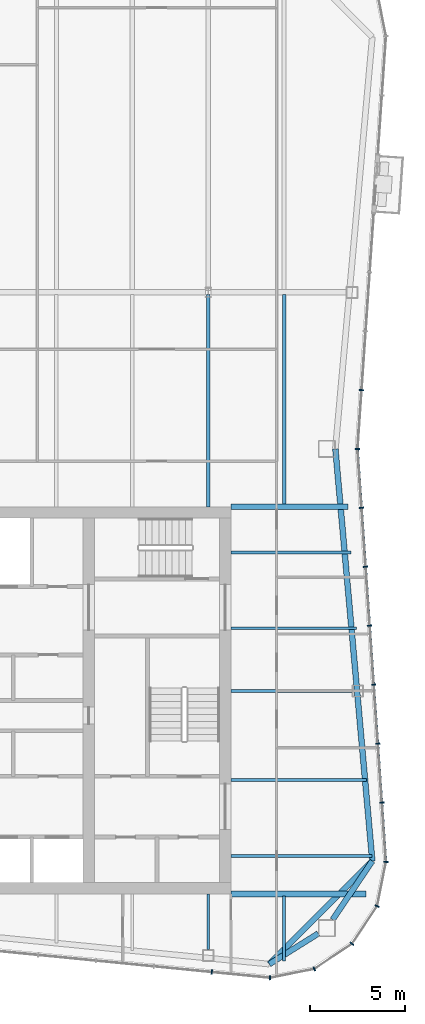
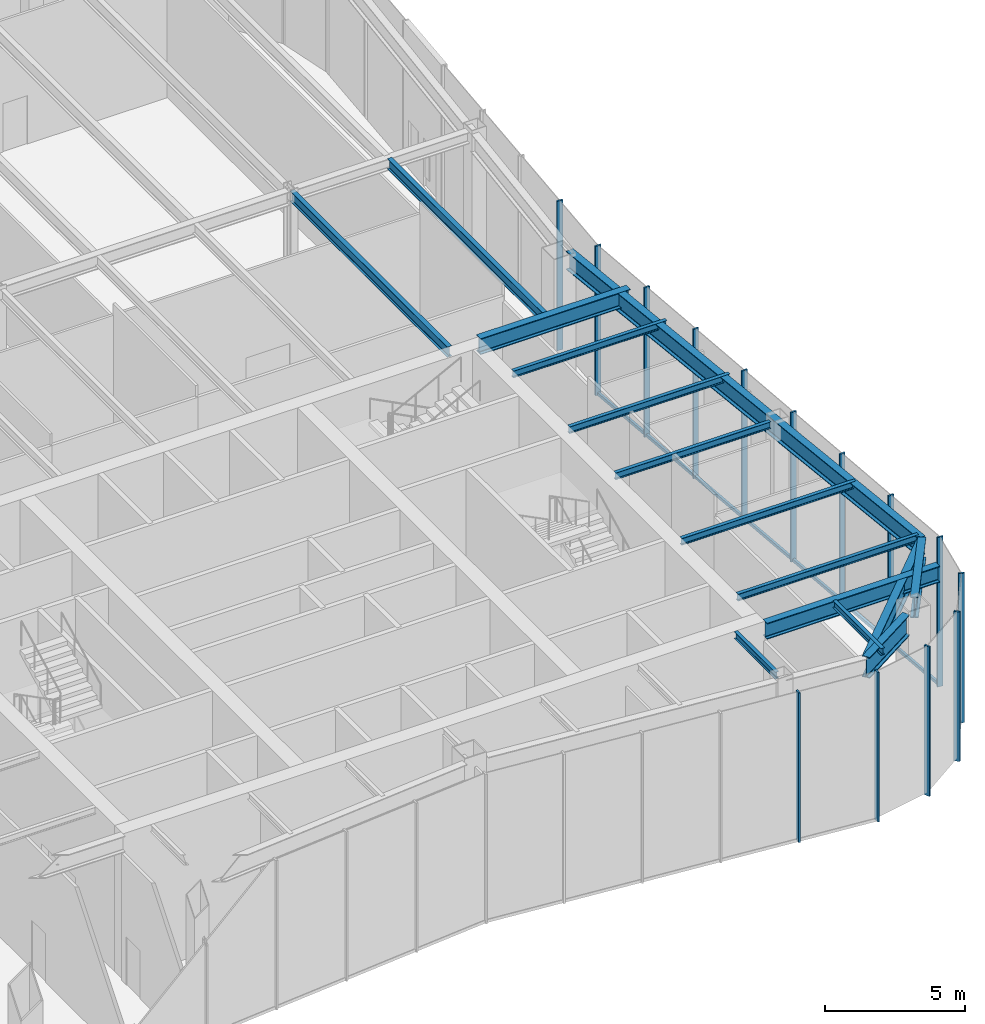
# One storey, part 5 of 15: 15 beams, 15 members, 3 elements without a shape of their own.
"""IFC4 building model written with IfcOpenShell, lengths in metres."""

from ifc_helpers import new_model, si_unit, direction, frame, origin, origin_2d, place, context, subcontext, project, spatial, rectangle, i_section, extrude, material, material_profile, profile_set, type_object, element, aggregate, save


model = new_model("IFC4")

# Units and contexts
model_context = context("Model", 3, precision=1e-05, world=origin(), true_north=direction((0.0, 1.0)))
body_context = subcontext(model_context, "Body", "Model", "MODEL_VIEW")
ifc_project = project(units=[si_unit("LENGTHUNIT", "METRE"), si_unit("AREAUNIT", "SQUARE_METRE"), si_unit("VOLUMEUNIT", "CUBIC_METRE"), si_unit("PLANEANGLEUNIT", "RADIAN"), si_unit("MASSUNIT", "GRAM", prefix="KILO")], contexts=[model_context])

# Site, building, storey
site_placement = place(None, origin())
site = spatial("IfcSite", under=ifc_project, at=site_placement, CompositionType="ELEMENT")
building_placement = place(site_placement, origin())
building = spatial("IfcBuilding", under=site, at=building_placement, Name="Verdant Reach Tower", CompositionType="ELEMENT")
storey_placement = place(building_placement, frame((0.0, 0.0, 334.0)))
storey = spatial("IfcBuildingStorey", under=building, at=storey_placement, Name="L77", CompositionType="ELEMENT", Elevation=334.0)

# Curtain wall, members
ifc_material_1 = material(Name="Anodised aluminium", Category="aluminium")
curtain_wall_type = type_object("IfcCurtainWallType", Name="EN-CW SYSTEM Z5", PredefinedType="NOTDEFINED", material=ifc_material_1)
curtain_wall_1_placement = place(storey_placement, origin())
curtain_wall_1 = element("IfcCurtainWall", 1, at=curtain_wall_1_placement, inside=storey, type_object=curtain_wall_type, Name="Curtain wall south-east corner, L77", PredefinedType="NOTDEFINED")
ifc_material_profile_1 = material_profile(ifc_material_1, rectangle(XDim=0.22998046875, YDim=0.070068359375, at=origin_2d()), Name="Mullion 70x230")
ifc_profile_set_1 = profile_set([ifc_material_profile_1], Name="Anodised aluminium")
member_type_1 = type_object("IfcMemberType", Name="EN-MULLION Z5", PredefinedType="MULLION", material=ifc_profile_set_1)
member_1_placement = place(storey_placement, frame((15.255615234375, 13.38525390625, -0.35009765625), z_axis=(0.0, 0.0, 1.0), x_axis=(0.049127596288, -0.998792510626, 0.0)))
member_1 = element("IfcMember", 2, at=member_1_placement, type_object=member_type_1, Name="Mullion south-east corner 1, L77", PredefinedType="MULLION", context=body_context, shape_type="SweptSolid", body=[
    extrude(rectangle(XDim=0.22998046875, YDim=0.070068359375, at=origin_2d()), origin(), (0.0, 0.0, 1.0), 6.5),
])
member_2_placement = place(storey_placement, frame((17.590087890625, 13.850341796875, -0.35009765625), z_axis=(0.0, 0.0, 1.0), x_axis=(0.382693853776, -0.923875215753, 0.0)))
member_2 = element("IfcMember", 3, at=member_2_placement, type_object=member_type_1, Name="Mullion south-east corner 2, L77", PredefinedType="MULLION", context=body_context, shape_type="SweptSolid", body=[
    extrude(rectangle(XDim=0.22998046875, YDim=0.070068359375, at=origin_2d()), origin(), (0.0, 0.0, 1.0), 6.5),
])
member_3_placement = place(storey_placement, frame((19.573974609375, 15.176025390625, -0.35009765625), z_axis=(0.0, 0.0, 1.0), x_axis=(0.707106781187, -0.707106781187, 0.0)))
member_3 = element("IfcMember", 4, at=member_3_placement, type_object=member_type_1, Name="Mullion south-east corner 3, L77", PredefinedType="MULLION", context=body_context, shape_type="SweptSolid", body=[
    extrude(rectangle(XDim=0.22998046875, YDim=0.070068359375, at=origin_2d()), origin(), (0.0, 0.0, 1.0), 6.5),
])
member_4_placement = place(storey_placement, frame((20.899658203125, 17.159912109375, -0.35009765625), z_axis=(0.0, 0.0, 1.0), x_axis=(0.923875215753, -0.382693853776, 0.0)))
member_4 = element("IfcMember", 5, at=member_4_placement, type_object=member_type_1, Name="Mullion south-east corner 4, L77", PredefinedType="MULLION", context=body_context, shape_type="SweptSolid", body=[
    extrude(rectangle(XDim=0.22998046875, YDim=0.070068359375, at=origin_2d()), origin(), (0.0, 0.0, 1.0), 6.5),
])
aggregate(curtain_wall_1, [member_1, member_2, member_3, member_4])

curtain_wall_2_placement = place(storey_placement, origin())
curtain_wall_2 = element("IfcCurtainWall", 6, at=curtain_wall_2_placement, inside=storey, type_object=curtain_wall_type, Name="Curtain wall east, L77", PredefinedType="NOTDEFINED")
member_5_placement = place(storey_placement, frame((21.36474609375, 19.49267578125, -0.35009765625), z_axis=(0.0, 0.0, 1.0), x_axis=(0.997969180898, -0.063698618332, 0.0)))
member_5 = element("IfcMember", 7, at=member_5_placement, type_object=member_type_1, Name="Mullion east face part 1 1, L77", PredefinedType="MULLION", context=body_context, shape_type="SweptSolid", body=[
    extrude(rectangle(XDim=0.22998046875, YDim=0.070068359375, at=origin_2d()), origin(), (0.0, 0.0, 1.0), 6.5),
])
member_6_placement = place(storey_placement, frame((21.150390625, 22.614990234375, -0.35009765625), z_axis=(0.0, 0.0, 1.0), x_axis=(0.997630328423, 0.068802091615, 0.0)))
member_6 = element("IfcMember", 8, at=member_6_placement, type_object=member_type_1, Name="Mullion east face part 1 2, L77", PredefinedType="MULLION", context=body_context, shape_type="SweptSolid", body=[
    extrude(rectangle(XDim=0.22998046875, YDim=0.070068359375, at=origin_2d()), origin(), (0.0, 0.0, 1.0), 6.5),
])
member_7_placement = place(storey_placement, frame((20.93603515625, 25.72216796875, -0.35009765625), z_axis=(0.0, 0.0, 1.0), x_axis=(0.997630328423, 0.068802091615, 0.0)))
member_7 = element("IfcMember", 9, at=member_7_placement, type_object=member_type_1, Name="Mullion east face part 1 3, L77", PredefinedType="MULLION", context=body_context, shape_type="SweptSolid", body=[
    extrude(rectangle(XDim=0.22998046875, YDim=0.070068359375, at=origin_2d()), origin(), (0.0, 0.0, 1.0), 6.5),
])
member_8_placement = place(storey_placement, frame((20.721923828125, 28.829345703125, -0.35009765625), z_axis=(0.0, 0.0, 1.0), x_axis=(0.997630328423, 0.068802091615, 0.0)))
member_8 = element("IfcMember", 10, at=member_8_placement, type_object=member_type_1, Name="Mullion east face part 1 4, L77", PredefinedType="MULLION", context=body_context, shape_type="SweptSolid", body=[
    extrude(rectangle(XDim=0.22998046875, YDim=0.070068359375, at=origin_2d()), origin(), (0.0, 0.0, 1.0), 6.5),
])
member_9_placement = place(storey_placement, frame((20.507568359375, 31.9365234375, -0.35009765625), z_axis=(0.0, 0.0, 1.0), x_axis=(0.997630328423, 0.068802091615, 0.0)))
member_9 = element("IfcMember", 11, at=member_9_placement, type_object=member_type_1, Name="Mullion east face part 1 5, L77", PredefinedType="MULLION", context=body_context, shape_type="SweptSolid", body=[
    extrude(rectangle(XDim=0.22998046875, YDim=0.070068359375, at=origin_2d()), origin(), (0.0, 0.0, 1.0), 6.5),
])
member_10_placement = place(storey_placement, frame((20.293212890625, 35.043701171875, -0.35009765625), z_axis=(0.0, 0.0, 1.0), x_axis=(0.997630328423, 0.068802091615, 0.0)))
member_10 = element("IfcMember", 12, at=member_10_placement, type_object=member_type_1, Name="Mullion east face part 1 6, L77", PredefinedType="MULLION", context=body_context, shape_type="SweptSolid", body=[
    extrude(rectangle(XDim=0.22998046875, YDim=0.070068359375, at=origin_2d()), origin(), (0.0, 0.0, 1.0), 6.5),
])
member_11_placement = place(storey_placement, frame((20.0791015625, 38.15087890625, -0.35009765625), z_axis=(0.0, 0.0, 1.0), x_axis=(0.997630328423, 0.068802091615, 0.0)))
member_11 = element("IfcMember", 13, at=member_11_placement, type_object=member_type_1, Name="Mullion east face part 1 7, L77", PredefinedType="MULLION", context=body_context, shape_type="SweptSolid", body=[
    extrude(rectangle(XDim=0.22998046875, YDim=0.070068359375, at=origin_2d()), origin(), (0.0, 0.0, 1.0), 6.5),
])
member_12_placement = place(storey_placement, frame((19.864990234375, 41.25, -0.35009765625), z_axis=(0.0, 0.0, 1.0), x_axis=(1.0, 0.0, 0.0)))
member_12 = element("IfcMember", 14, at=member_12_placement, type_object=member_type_1, Name="Mullion east face part 2 1, L77", PredefinedType="MULLION", context=body_context, shape_type="SweptSolid", body=[
    extrude(rectangle(XDim=0.22998046875, YDim=0.070068359375, at=origin_2d()), origin(), (0.0, 0.0, 1.0), 6.5),
])
member_13_placement = place(storey_placement, frame((20.0791015625, 44.34912109375, -0.35009765625), z_axis=(0.0, 0.0, 1.0), x_axis=(0.997630328423, -0.068802091615, 0.0)))
member_13 = element("IfcMember", 15, at=member_13_placement, type_object=member_type_1, Name="Mullion east face part 2 2, L77", PredefinedType="MULLION", context=body_context, shape_type="SweptSolid", body=[
    extrude(rectangle(XDim=0.22998046875, YDim=0.070068359375, at=origin_2d()), origin(), (0.0, 0.0, 1.0), 6.5),
])

# Curtain wall, member
curtain_wall_3_placement = place(storey_placement, origin())
curtain_wall_3 = element("IfcCurtainWall", 16, at=curtain_wall_3_placement, inside=storey, type_object=curtain_wall_type, Name="Curtain wall south, L77", PredefinedType="NOTDEFINED")
member_14_placement = place(storey_placement, frame((12.188720703125, 13.685546875, -0.35009765625), z_axis=(0.0, 0.0, 1.0), x_axis=(-0.09788826992, -0.995197410875, 0.0)))
member_14 = element("IfcMember", 17, at=member_14_placement, type_object=member_type_1, Name="Mullion south face part 2 5, L77", PredefinedType="MULLION", context=body_context, shape_type="SweptSolid", body=[
    extrude(rectangle(XDim=0.22998046875, YDim=0.070068359375, at=origin_2d()), origin(), (0.0, 0.0, 1.0), 6.5),
])
aggregate(curtain_wall_3, [member_14])

# Member
ifc_material_profile_2 = material_profile(ifc_material_1, rectangle(XDim=0.10009765625, YDim=0.1298828125, at=origin_2d()), Name="Transom 130x100")
ifc_profile_set_2 = profile_set([ifc_material_profile_2], Name="Anodised aluminium")
member_type_2 = type_object("IfcMemberType", Name="EN-TRANSOM Z5", PredefinedType="USERDEFINED", material=ifc_profile_set_2)
member_15_placement = place(storey_placement, frame((21.3623046875, 19.527587890625, -0.284912109375), z_axis=(-0.068764705107, 0.997632906099, 0.0), x_axis=(-0.997632906099, -0.068764705107, 0.0)))
member_15 = element("IfcMember", 18, at=member_15_placement, type_object=member_type_2, Name="Transom east face part 1 1.1, L77", ObjectType="TRANSOM", PredefinedType="USERDEFINED", context=body_context, shape_type="SweptSolid", body=[
    extrude(rectangle(XDim=0.10009765625, YDim=0.1298828125, at=origin_2d()), origin(), (0.0, 0.0, 1.0), 21.739013671875),
])

aggregate(curtain_wall_2, [member_5, member_6, member_7, member_8, member_9, member_10, member_11, member_15, member_12, member_13])

# Beams
ifc_material_2 = material(Name="Steel S355", Category="steel")
ifc_material_profile_3 = material_profile(ifc_material_2, i_section(OverallWidth=0.300048828125, OverallDepth=0.699951171875, WebThickness=0.01708984375, FlangeThickness=0.031982421875, FilletRadius=0.027099609375, at=origin_2d()), Name="HEB 700")
ifc_profile_set_3 = profile_set([ifc_material_profile_3], Name="Steel S355")
beam_type_1 = type_object("IfcBeamType", Name="ST-BEAM-HEB700", PredefinedType="BEAM", material=ifc_profile_set_3)
beam_1_placement = place(storey_placement, frame((13.199951171875, 38.199951171875, 6.0), z_axis=(1.0, 0.0, 0.0), x_axis=(0.0, 1.0, 0.0)))
element("IfcBeam", 19, at=beam_1_placement, inside=storey, type_object=beam_type_1, Name="Trimmer beam, L77", PredefinedType="BEAM", context=body_context, shape_type="SweptSolid", body=[
    extrude(i_section(OverallWidth=0.300048828125, OverallDepth=0.699951171875, WebThickness=0.01708984375, FlangeThickness=0.031982421875, FilletRadius=0.027099609375, at=origin_2d()), origin(), (0.0, 0.0, 1.0), 6.158935546875),
])
beam_2_placement = place(storey_placement, frame((13.199951171875, 17.800048828125, 6.0), z_axis=(1.0, 0.0, 0.0), x_axis=(0.0, 1.0, 0.0)))
element("IfcBeam", 20, at=beam_2_placement, inside=storey, type_object=beam_type_1, Name="Trimmer beam, L77", PredefinedType="BEAM", context=body_context, shape_type="SweptSolid", body=[
    extrude(i_section(OverallWidth=0.300048828125, OverallDepth=0.699951171875, WebThickness=0.01708984375, FlangeThickness=0.031982421875, FilletRadius=0.027099609375, at=origin_2d()), origin(), (0.0, 0.0, 1.0), 7.10009765625),
])
ifc_material_profile_4 = material_profile(ifc_material_2, i_section(OverallWidth=0.302001953125, OverallDepth=0.909912109375, WebThickness=0.02099609375, FlangeThickness=0.0400390625, FilletRadius=0.030029296875, at=origin_2d()), Name="HEM 900")
ifc_profile_set_4 = profile_set([ifc_material_profile_4], Name="Steel S355")
beam_type_2 = type_object("IfcBeamType", Name="ST-BEAM-HEM900", PredefinedType="BEAM", material=ifc_profile_set_4)
beam_3_placement = place(storey_placement, frame((17.800048828125, 15.71875, 5.89501953125), z_axis=(-0.847903624467, -0.530150397166, 0.0), x_axis=(0.530150397166, -0.847903624467, 0.0)))
element("IfcBeam", 21, at=beam_3_placement, inside=storey, type_object=beam_type_2, Name="Column stub beam, L77", PredefinedType="BEAM", context=body_context, shape_type="SweptSolid", body=[
    extrude(i_section(OverallWidth=0.302001953125, OverallDepth=0.909912109375, WebThickness=0.02099609375, FlangeThickness=0.0400390625, FilletRadius=0.030029296875, at=origin_2d()), origin(), (0.0, 0.0, 1.0), 3.042724609375),
])
beam_4_placement = place(storey_placement, frame((18.5546875, 16.449951171875, 5.89501953125), z_axis=(0.560667226688, 0.828041219335, 0.0), x_axis=(-0.828041219335, 0.560667226688, 0.0)))
element("IfcBeam", 22, at=beam_4_placement, inside=storey, type_object=beam_type_2, Name="Column stub beam, L77", PredefinedType="BEAM", context=body_context, shape_type="SweptSolid", body=[
    extrude(i_section(OverallWidth=0.302001953125, OverallDepth=0.909912109375, WebThickness=0.02099609375, FlangeThickness=0.0400390625, FilletRadius=0.030029296875, at=origin_2d()), origin(), (0.0, 0.0, 1.0), 3.72998046875),
])
ifc_material_profile_5 = material_profile(ifc_material_2, i_section(OverallWidth=0.14990234375, OverallDepth=0.300048828125, WebThickness=0.007080078125, FlangeThickness=0.0107421875, FilletRadius=0.014892578125, at=origin_2d()), Name="IPE 300")
ifc_profile_set_5 = profile_set([ifc_material_profile_5], Name="Steel S355")
beam_type_3 = type_object("IfcBeamType", Name="ST-JOIST-IPE300", PredefinedType="JOIST", material=ifc_profile_set_5)
beam_5_placement = place(storey_placement, frame((12.0, 17.800048828125, 6.199951171875), z_axis=(0.0, -1.0, 0.0), x_axis=(1.0, 0.0, 0.0)))
element("IfcBeam", 23, at=beam_5_placement, inside=storey, type_object=beam_type_3, Name="Floor joist, L77", PredefinedType="JOIST", context=body_context, shape_type="SweptSolid", body=[
    extrude(i_section(OverallWidth=0.14990234375, OverallDepth=0.300048828125, WebThickness=0.007080078125, FlangeThickness=0.0107421875, FilletRadius=0.014892578125, at=origin_2d()), origin(), (0.0, 0.0, 1.0), 2.930419921875),
])
beam_6_placement = place(storey_placement, frame((16.0, 17.699951171875, 6.199951171875), z_axis=(0.0, -1.0, 0.0), x_axis=(1.0, 0.0, 0.0)))
element("IfcBeam", 24, at=beam_6_placement, inside=storey, type_object=beam_type_3, Name="Floor joist, L77", PredefinedType="JOIST", context=body_context, shape_type="SweptSolid", body=[
    extrude(i_section(OverallWidth=0.14990234375, OverallDepth=0.300048828125, WebThickness=0.007080078125, FlangeThickness=0.0107421875, FilletRadius=0.014892578125, at=origin_2d()), origin(), (0.0, 0.0, 1.0), 3.43896484375),
])
beam_7_placement = place(storey_placement, frame((13.199951171875, 19.800048828125, 6.199951171875), z_axis=(1.0, 0.0, 0.0), x_axis=(0.0, 1.0, 0.0)))
element("IfcBeam", 25, at=beam_7_placement, inside=storey, type_object=beam_type_3, Name="Floor joist, L77", PredefinedType="JOIST", context=body_context, shape_type="SweptSolid", body=[
    extrude(i_section(OverallWidth=0.14990234375, OverallDepth=0.300048828125, WebThickness=0.007080078125, FlangeThickness=0.0107421875, FilletRadius=0.014892578125, at=origin_2d()), origin(), (0.0, 0.0, 1.0), 7.427978515625),
])
beam_8_placement = place(storey_placement, frame((13.199951171875, 23.800048828125, 6.199951171875), z_axis=(1.0, 0.0, 0.0), x_axis=(0.0, 1.0, 0.0)))
element("IfcBeam", 26, at=beam_8_placement, inside=storey, type_object=beam_type_3, Name="Floor joist, L77", PredefinedType="JOIST", context=body_context, shape_type="SweptSolid", body=[
    extrude(i_section(OverallWidth=0.14990234375, OverallDepth=0.300048828125, WebThickness=0.007080078125, FlangeThickness=0.0107421875, FilletRadius=0.014892578125, at=origin_2d()), origin(), (0.0, 0.0, 1.0), 7.152099609375),
])
beam_9_placement = place(storey_placement, frame((13.199951171875, 28.5, 6.199951171875), z_axis=(1.0, 0.0, 0.0), x_axis=(0.0, 1.0, 0.0)))
element("IfcBeam", 27, at=beam_9_placement, inside=storey, type_object=beam_type_3, Name="Floor joist, L77", PredefinedType="JOIST", context=body_context, shape_type="SweptSolid", body=[
    extrude(i_section(OverallWidth=0.14990234375, OverallDepth=0.300048828125, WebThickness=0.007080078125, FlangeThickness=0.0107421875, FilletRadius=0.014892578125, at=origin_2d()), origin(), (0.0, 0.0, 1.0), 6.37939453125),
])
beam_10_placement = place(storey_placement, frame((13.199951171875, 31.800048828125, 6.199951171875), z_axis=(1.0, 0.0, 0.0), x_axis=(0.0, 1.0, 0.0)))
element("IfcBeam", 28, at=beam_10_placement, inside=storey, type_object=beam_type_3, Name="Floor joist, L77", PredefinedType="JOIST", context=body_context, shape_type="SweptSolid", body=[
    extrude(i_section(OverallWidth=0.14990234375, OverallDepth=0.300048828125, WebThickness=0.007080078125, FlangeThickness=0.0107421875, FilletRadius=0.014892578125, at=origin_2d()), origin(), (0.0, 0.0, 1.0), 6.600341796875),
])
beam_11_placement = place(storey_placement, frame((13.199951171875, 35.800048828125, 6.199951171875), z_axis=(1.0, 0.0, 0.0), x_axis=(0.0, 1.0, 0.0)))
element("IfcBeam", 29, at=beam_11_placement, inside=storey, type_object=beam_type_3, Name="Floor joist, L77", PredefinedType="JOIST", context=body_context, shape_type="SweptSolid", body=[
    extrude(i_section(OverallWidth=0.14990234375, OverallDepth=0.300048828125, WebThickness=0.007080078125, FlangeThickness=0.0107421875, FilletRadius=0.014892578125, at=origin_2d()), origin(), (0.0, 0.0, 1.0), 6.324462890625),
])
ifc_material_profile_6 = material_profile(ifc_material_2, i_section(OverallWidth=0.18994140625, OverallDepth=0.449951171875, WebThickness=0.009521484375, FlangeThickness=0.0146484375, FilletRadius=0.02099609375, at=origin_2d()), Name="IPE 450")
ifc_profile_set_6 = profile_set([ifc_material_profile_6], Name="Steel S355")
beam_type_4 = type_object("IfcBeamType", Name="ST-JOIST-IPE450", PredefinedType="JOIST", material=ifc_profile_set_6)
beam_12_placement = place(storey_placement, frame((12.0, 38.199951171875, 6.125), z_axis=(0.0, 1.0, 0.0), x_axis=(-1.0, 0.0, 0.0)))
element("IfcBeam", 30, at=beam_12_placement, inside=storey, type_object=beam_type_4, Name="Floor joist, L77", PredefinedType="JOIST", context=body_context, shape_type="SweptSolid", body=[
    extrude(i_section(OverallWidth=0.18994140625, OverallDepth=0.449951171875, WebThickness=0.009521484375, FlangeThickness=0.0146484375, FilletRadius=0.02099609375, at=origin_2d()), origin(), (0.0, 0.0, 1.0), 11.199951171875),
])
beam_13_placement = place(storey_placement, frame((16.0, 38.300048828125, 6.125), z_axis=(0.0, 1.0, 0.0), x_axis=(-1.0, 0.0, 0.0)))
element("IfcBeam", 31, at=beam_13_placement, inside=storey, type_object=beam_type_4, Name="Floor joist, L77", PredefinedType="JOIST", context=body_context, shape_type="SweptSolid", body=[
    extrude(i_section(OverallWidth=0.18994140625, OverallDepth=0.449951171875, WebThickness=0.009521484375, FlangeThickness=0.0146484375, FilletRadius=0.02099609375, at=origin_2d()), origin(), (0.0, 0.0, 1.0), 11.099853515625),
])
ifc_material_profile_7 = material_profile(ifc_material_2, i_section(OverallWidth=0.300048828125, OverallDepth=0.800048828125, WebThickness=0.017578125, FlangeThickness=0.032958984375, FilletRadius=0.030029296875, at=origin_2d()), Name="HEB 800")
ifc_profile_set_7 = profile_set([ifc_material_profile_7], Name="Steel S355")
beam_type_5 = type_object("IfcBeamType", Name="ST-SPANDREL-HEB800", PredefinedType="SPANDREL", material=ifc_profile_set_7)
beam_14_placement = place(storey_placement, frame((18.699951171875, 41.25, 5.949951171875), z_axis=(0.089274399498, -0.996007069048, 0.0), x_axis=(0.996007069048, 0.089274399498, 0.0)))
element("IfcBeam", 32, at=beam_14_placement, inside=storey, type_object=beam_type_5, Name="Edge beam, L77", PredefinedType="SPANDREL", context=body_context, shape_type="SweptSolid", body=[
    extrude(i_section(OverallWidth=0.300048828125, OverallDepth=0.800048828125, WebThickness=0.017578125, FlangeThickness=0.032958984375, FilletRadius=0.030029296875, at=origin_2d()), origin(), (0.0, 0.0, 1.0), 21.798583984375),
])
ifc_material_profile_8 = material_profile(ifc_material_2, i_section(OverallWidth=0.302001953125, OverallDepth=0.909912109375, WebThickness=0.02099609375, FlangeThickness=0.0400390625, FilletRadius=0.030029296875, at=origin_2d()), Name="HEM 900")
ifc_profile_set_8 = profile_set([ifc_material_profile_8], Name="Steel S355")
beam_type_6 = type_object("IfcBeamType", Name="ST-SPANDREL-HEM900", PredefinedType="SPANDREL", material=ifc_profile_set_8)
beam_15_placement = place(storey_placement, frame((20.64599609375, 19.53857421875, 5.89501953125), z_axis=(-0.706645581521, -0.707567680237, 0.0), x_axis=(0.707567680237, -0.706645581521, 0.0)))
element("IfcBeam", 33, at=beam_15_placement, inside=storey, type_object=beam_type_6, Name="Edge beam, L77", PredefinedType="SPANDREL", context=body_context, shape_type="SweptSolid", body=[
    extrude(i_section(OverallWidth=0.302001953125, OverallDepth=0.909912109375, WebThickness=0.02099609375, FlangeThickness=0.0400390625, FilletRadius=0.030029296875, at=origin_2d()), origin(), (0.0, 0.0, 1.0), 7.67822265625),
])

save(model, "model.ifc")
